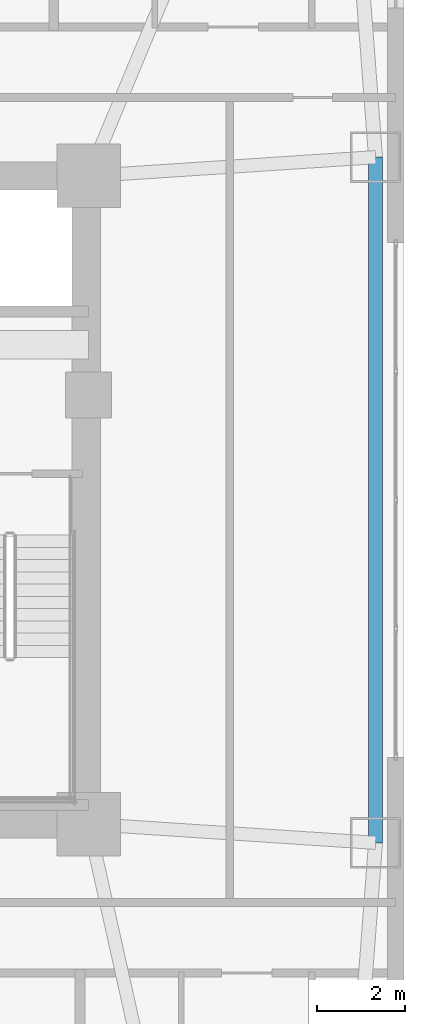
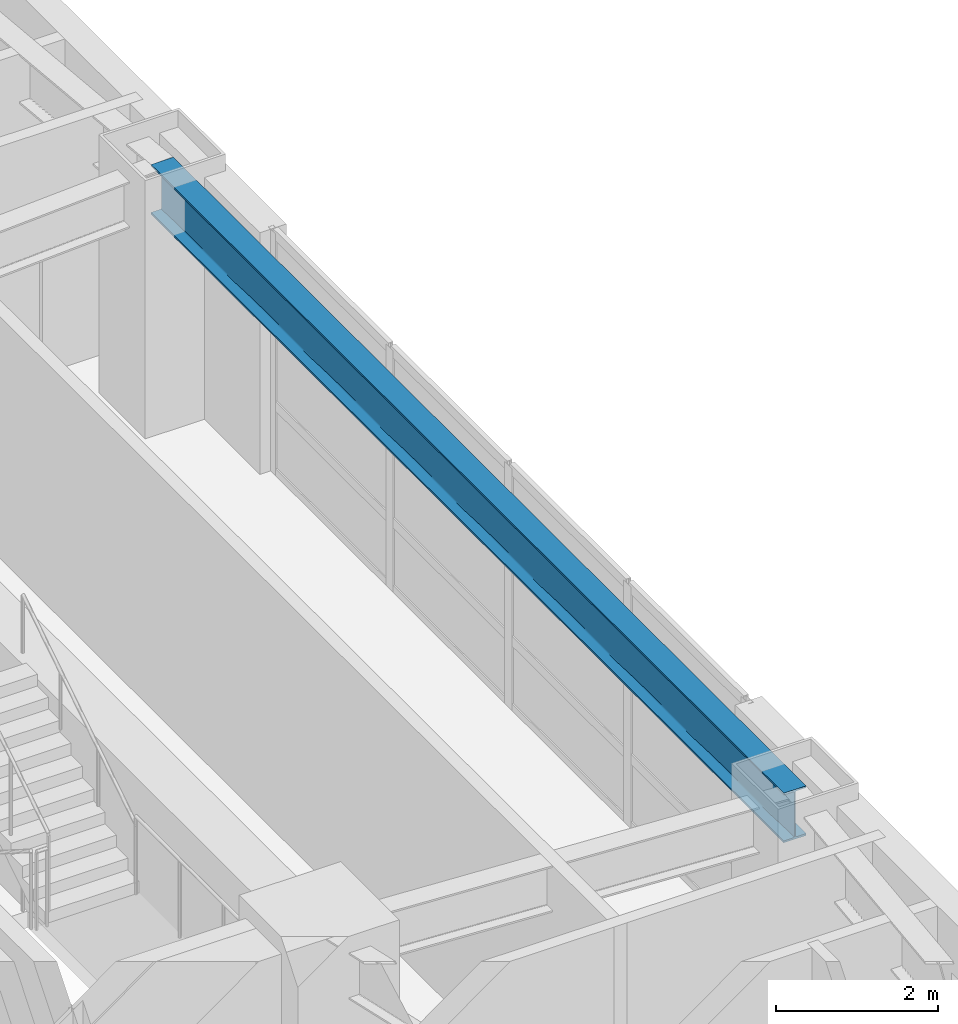
# One storey, part 12 of 28: 1 beam.
"""IFC4 building model written with IfcOpenShell, lengths in metres."""

from ifc_helpers import new_model, si_unit, direction, frame, origin, origin_2d, place, context, subcontext, project, spatial, i_section, extrude, material, material_profile, profile_set, type_object, element, save


model = new_model("IFC4")

# Units and contexts
model_context = context("Model", 3, precision=1e-05, world=origin(), true_north=direction((0.0, 1.0)))
body_context = subcontext(model_context, "Body", "Model", "MODEL_VIEW")
ifc_project = project(units=[si_unit("LENGTHUNIT", "METRE"), si_unit("AREAUNIT", "SQUARE_METRE"), si_unit("VOLUMEUNIT", "CUBIC_METRE"), si_unit("PLANEANGLEUNIT", "RADIAN"), si_unit("MASSUNIT", "GRAM", prefix="KILO")], contexts=[model_context])

# Site, building, storey
site_placement = place(None, origin())
site = spatial("IfcSite", under=ifc_project, at=site_placement, CompositionType="ELEMENT")
building_placement = place(site_placement, origin())
building = spatial("IfcBuilding", under=site, at=building_placement, Name="Voryun Gate Residences", CompositionType="ELEMENT")
storey_placement = place(building_placement, frame((0.0, 0.0, 61.10009765625)))
storey = spatial("IfcBuildingStorey", under=building, at=storey_placement, Name="L14", CompositionType="ELEMENT", Elevation=61.10009765625)

# Beam
ifc_material = material(Name="Steel SM355", Category="steel")
ifc_material_profile = material_profile(ifc_material, i_section(OverallWidth=0.320068359375, OverallDepth=0.75, WebThickness=0.01611328125, FlangeThickness=0.028076171875, FilletRadius=0.01806640625, at=origin_2d()), Name="H-750x320x16x28")
ifc_profile_set = profile_set([ifc_material_profile], Name="Steel SM355")
beam_type = type_object("IfcBeamType", Name="BM_EXO_SPANDREL_L", PredefinedType="SPANDREL", material=ifc_profile_set)
beam_placement = place(storey_placement, frame((25.75, -7.830078125, 3.27490234375), z_axis=(0.0, 1.0, 0.0), x_axis=(-1.0, 0.0, 0.0)))
element("IfcBeam", 1, at=beam_placement, inside=storey, type_object=beam_type, Name="BM-L14-SPAND-08", PredefinedType="SPANDREL", context=body_context, shape_type="SweptSolid", body=[
    extrude(i_section(OverallWidth=0.320068359375, OverallDepth=0.75, WebThickness=0.01611328125, FlangeThickness=0.028076171875, FilletRadius=0.01806640625, at=origin_2d()), origin(), (0.0, 0.0, 1.0), 15.66015625),
])

save(model, "model.ifc")
